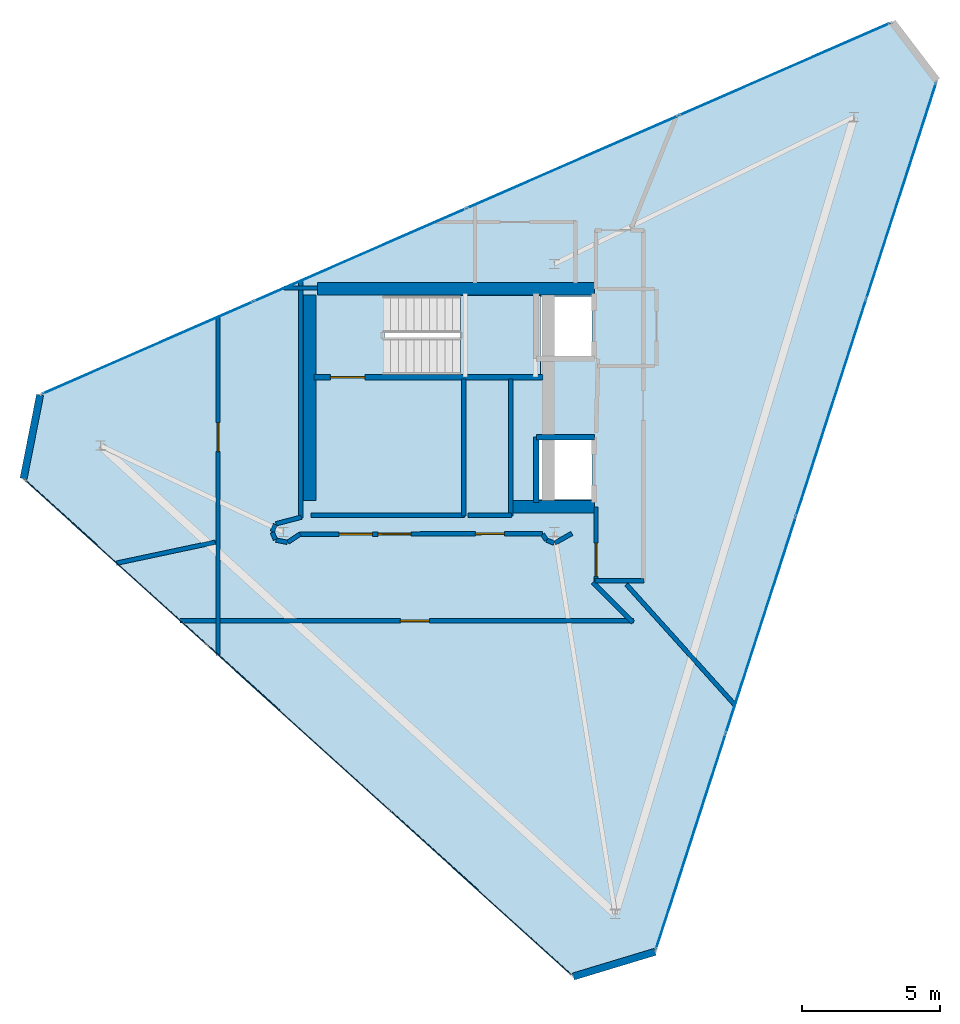
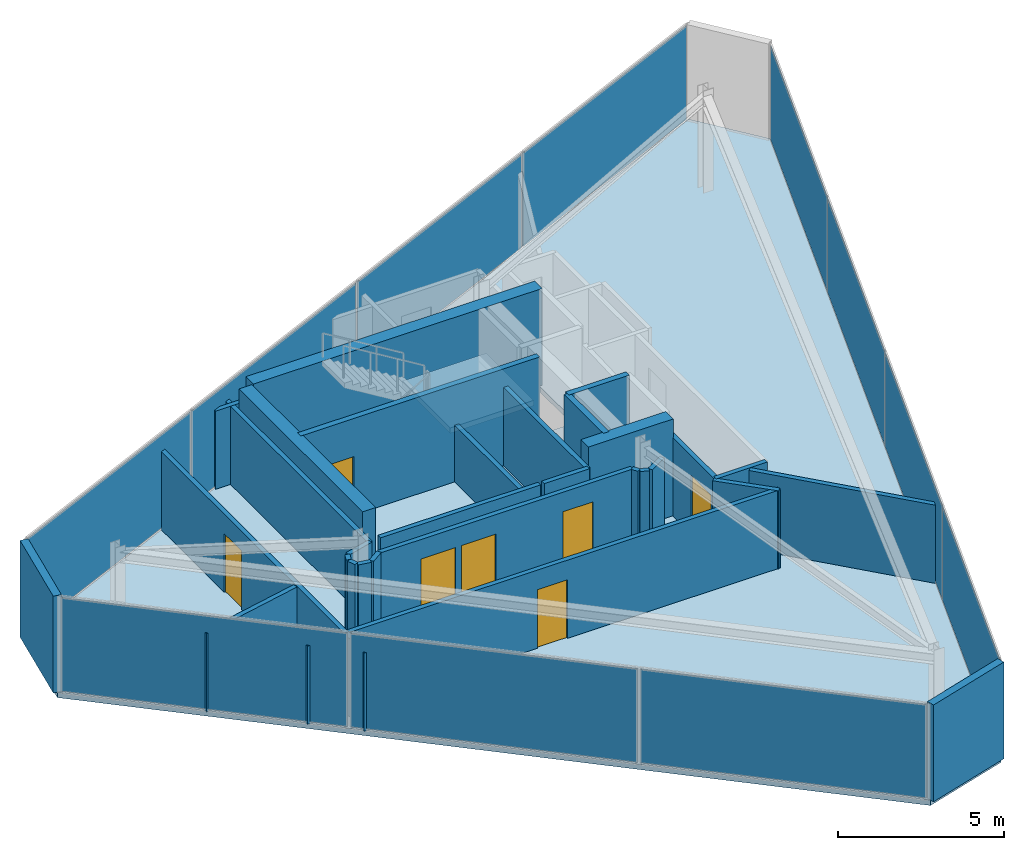
# One storey, part 12 of 14: 30 walls, 11 plates, 7 doors, 2 slabs, 7 openings, 4 elements without a shape of their own.
"""IFC4 building model written with IfcOpenShell, lengths in metres."""

from ifc_helpers import new_model, si_unit, direction, frame, frame_2d, origin, origin_2d, place, context, subcontext, project, spatial, polyline, rectangle, outline, extrude, material, layer, layer_set, type_object, element, fill, aggregate, save


model = new_model("IFC4")

# Units and contexts
model_context = context("Model", 3, precision=1e-05, world=origin(), true_north=direction((0.0, 1.0)))
body_context = subcontext(model_context, "Body", "Model", "MODEL_VIEW")
ifc_project = project(units=[si_unit("LENGTHUNIT", "METRE"), si_unit("AREAUNIT", "SQUARE_METRE"), si_unit("VOLUMEUNIT", "CUBIC_METRE"), si_unit("PLANEANGLEUNIT", "RADIAN"), si_unit("MASSUNIT", "GRAM", prefix="KILO")], contexts=[model_context])

# Site, building, storey
site_placement = place(None, origin())
site = spatial("IfcSite", under=ifc_project, at=site_placement, CompositionType="ELEMENT")
building_placement = place(site_placement, origin())
building = spatial("IfcBuilding", under=site, at=building_placement, Name="Qianvela Tower", CompositionType="ELEMENT")
storey_placement = place(building_placement, frame((0.0, 0.0, 363.800048828125)))
storey = spatial("IfcBuildingStorey", under=building, at=storey_placement, Name="L94", CompositionType="ELEMENT", Elevation=363.800048828125)

# Curtain wall, plates
ifc_material_1 = material(Name="Anodised Architectural Aluminium and Low-E Glass", Category="aluminium")
ifc_layer_1 = layer(ifc_material_1, 0.159912109375)
ifc_layer_set_1 = layer_set([ifc_layer_1], Name="Anodised Architectural Aluminium and Low-E Glass")
curtain_wall_type = type_object("IfcCurtainWallType", Name="CW-CROWN", PredefinedType="USERDEFINED", material=ifc_layer_set_1)
curtain_wall_1_placement = place(storey_placement, origin())
curtain_wall_1 = element("IfcCurtainWall", 1, at=curtain_wall_1_placement, inside=storey, type_object=curtain_wall_type, Name="L94 CW-CROWN Curtain Wall 02", ObjectType="CURTAIN_WALL_SYSTEM", PredefinedType="USERDEFINED")
ifc_material_2 = material(Name="Double-Silver Low-E Insulated Glass", Category="glass")
ifc_layer_2 = layer(ifc_material_2, 0.030029296875)
ifc_layer_set_2 = layer_set([ifc_layer_2], Name="Double-Silver Low-E Insulated Glass")
plate_type = type_object("IfcPlateType", Name="CW-CROWN-PNL", PredefinedType="CURTAIN_PANEL", material=ifc_layer_set_2)
plate_1_placement = place(storey_placement, frame((46.731689453125, 40.592041015625, 0.06005859375), z_axis=(0.0, 0.0, 1.0), x_axis=(-0.916234852562, -0.400641604118, 0.0)))
plate_1 = element("IfcPlate", 2, at=plate_1_placement, type_object=plate_type, Name="CW-8 panel 1.1", PredefinedType="CURTAIN_PANEL", context=body_context, shape_type="SweptSolid", body=[
    extrude(rectangle(XDim=8.294189453125, YDim=0.030029296875, at=origin_2d()), origin(), (0.0, 0.0, 1.0), 3.429931640625),
])
plate_2_placement = place(storey_placement, frame((39.0576171875, 37.236572265625, 0.06005859375), z_axis=(0.0, 0.0, 1.0), x_axis=(-0.916234852562, -0.400641604118, 0.0)))
plate_2 = element("IfcPlate", 3, at=plate_2_placement, type_object=plate_type, Name="CW-8 panel 2.1", PredefinedType="CURTAIN_PANEL", context=body_context, shape_type="SweptSolid", body=[
    extrude(rectangle(XDim=8.326904296875, YDim=0.030029296875, at=origin_2d()), origin(), (0.0, 0.0, 1.0), 3.429931640625),
])
plate_3_placement = place(storey_placement, frame((31.368896484375, 33.87451171875, 0.06005859375), z_axis=(0.0, 0.0, 1.0), x_axis=(-0.916234852562, -0.400641604118, 0.0)))
plate_3 = element("IfcPlate", 4, at=plate_3_placement, type_object=plate_type, Name="CW-8 panel 3.1", PredefinedType="CURTAIN_PANEL", context=body_context, shape_type="SweptSolid", body=[
    extrude(rectangle(XDim=8.326904296875, YDim=0.030029296875, at=origin_2d()), origin(), (0.0, 0.0, 1.0), 3.429931640625),
])
plate_4_placement = place(storey_placement, frame((23.69482421875, 30.518798828125, 0.06005859375), z_axis=(0.0, 0.0, 1.0), x_axis=(-0.916234852562, -0.400641604118, 0.0)))
plate_4 = element("IfcPlate", 5, at=plate_4_placement, type_object=plate_type, Name="CW-8 panel 4.1", PredefinedType="CURTAIN_PANEL", context=body_context, shape_type="SweptSolid", body=[
    extrude(rectangle(XDim=8.294189453125, YDim=0.030029296875, at=origin_2d()), origin(), (0.0, 0.0, 1.0), 3.429931640625),
])
aggregate(curtain_wall_1, [plate_1, plate_2, plate_3, plate_4])

curtain_wall_2_placement = place(storey_placement, origin())
curtain_wall_2 = element("IfcCurtainWall", 6, at=curtain_wall_2_placement, inside=storey, type_object=curtain_wall_type, Name="L94 CW-CROWN Curtain Wall 04", ObjectType="CURTAIN_WALL_SYSTEM", PredefinedType="USERDEFINED")
plate_5_placement = place(storey_placement, frame((22.545166015625, 22.741943359375, 0.06005859375), z_axis=(0.0, 0.0, 1.0), x_axis=(0.741272992793, -0.671203657734, 0.0)))
plate_5 = element("IfcPlate", 7, at=plate_5_placement, type_object=plate_type, Name="CW-8 panel 1.1", PredefinedType="CURTAIN_PANEL", context=body_context, shape_type="SweptSolid", body=[
    extrude(rectangle(XDim=8.8173828125, YDim=0.030029296875, at=origin_2d()), origin(), (0.0, 0.0, 1.0), 3.429931640625),
])
plate_6_placement = place(storey_placement, frame((29.1416015625, 16.76904296875, 0.06005859375), z_axis=(0.0, 0.0, 1.0), x_axis=(0.741272992793, -0.671203657734, 0.0)))
plate_6 = element("IfcPlate", 8, at=plate_6_placement, type_object=plate_type, Name="CW-8 panel 2.1", PredefinedType="CURTAIN_PANEL", context=body_context, shape_type="SweptSolid", body=[
    extrude(rectangle(XDim=8.85009765625, YDim=0.030029296875, at=origin_2d()), origin(), (0.0, 0.0, 1.0), 3.429931640625),
])
plate_7_placement = place(storey_placement, frame((35.738037109375, 10.796142578125, 0.06005859375), z_axis=(0.0, 0.0, 1.0), x_axis=(0.741272992793, -0.671203657734, 0.0)))
plate_7 = element("IfcPlate", 9, at=plate_7_placement, type_object=plate_type, Name="CW-8 panel 3.1", PredefinedType="CURTAIN_PANEL", context=body_context, shape_type="SweptSolid", body=[
    extrude(rectangle(XDim=8.8173828125, YDim=0.030029296875, at=origin_2d()), origin(), (0.0, 0.0, 1.0), 3.429931640625),
])
aggregate(curtain_wall_2, [plate_5, plate_6, plate_7])

curtain_wall_3_placement = place(storey_placement, origin())
curtain_wall_3 = element("IfcCurtainWall", 10, at=curtain_wall_3_placement, inside=storey, type_object=curtain_wall_type, Name="L94 CW-CROWN Curtain Wall 06", ObjectType="CURTAIN_WALL_SYSTEM", PredefinedType="USERDEFINED")
plate_8_placement = place(storey_placement, frame((43.341796875, 12.647705078125, 0.06005859375), z_axis=(0.0, 0.0, 1.0), x_axis=(0.307717217108, 0.951477858016, 0.0)))
plate_8 = element("IfcPlate", 11, at=plate_8_placement, type_object=plate_type, Name="CW-8 panel 1.1", PredefinedType="CURTAIN_PANEL", context=body_context, shape_type="SweptSolid", body=[
    extrude(rectangle(XDim=8.16259765625, YDim=0.030029296875, at=origin_2d()), origin(), (0.0, 0.0, 1.0), 3.429931640625),
])
plate_9_placement = place(storey_placement, frame((45.87841796875, 20.491455078125, 0.06005859375), z_axis=(0.0, 0.0, 1.0), x_axis=(0.307717217108, 0.951477858016, 0.0)))
plate_9 = element("IfcPlate", 12, at=plate_9_placement, type_object=plate_type, Name="CW-8 panel 2.1", PredefinedType="CURTAIN_PANEL", context=body_context, shape_type="SweptSolid", body=[
    extrude(rectangle(XDim=8.195068359375, YDim=0.030029296875, at=origin_2d()), origin(), (0.0, 0.0, 1.0), 3.429931640625),
])
plate_10_placement = place(storey_placement, frame((48.420166015625, 28.3505859375, 0.06005859375), z_axis=(0.0, 0.0, 1.0), x_axis=(0.307717217108, 0.951477858016, 0.0)))
plate_10 = element("IfcPlate", 13, at=plate_10_placement, type_object=plate_type, Name="CW-8 panel 3.1", PredefinedType="CURTAIN_PANEL", context=body_context, shape_type="SweptSolid", body=[
    extrude(rectangle(XDim=8.195068359375, YDim=0.030029296875, at=origin_2d()), origin(), (0.0, 0.0, 1.0), 3.429931640625),
])
plate_11_placement = place(storey_placement, frame((50.95703125, 36.1943359375, 0.06005859375), z_axis=(0.0, 0.0, 1.0), x_axis=(0.307717217108, 0.951477858016, 0.0)))
plate_11 = element("IfcPlate", 14, at=plate_11_placement, type_object=plate_type, Name="CW-8 panel 4.1", PredefinedType="CURTAIN_PANEL", context=body_context, shape_type="SweptSolid", body=[
    extrude(rectangle(XDim=8.16259765625, YDim=0.030029296875, at=origin_2d()), origin(), (0.0, 0.0, 1.0), 3.429931640625),
])
aggregate(curtain_wall_3, [plate_8, plate_9, plate_10, plate_11])

# Slab
ifc_material_3 = material(Name="Concrete C40", Category="concrete")
ifc_layer_3 = layer(ifc_material_3, 0.199951171875)
ifc_layer_set_3 = layer_set([ifc_layer_3], Name="Concrete C40")
slab_type_1 = type_object("IfcSlabType", Name="SL-CROWN-200", PredefinedType="FLOOR", material=ifc_layer_set_3)
slab_1_placement = place(storey_placement, frame((0.0, 0.0, -0.199951171875)))
element("IfcSlab", 15, at=slab_1_placement, inside=storey, type_object=slab_type_1, Name="L94 Composite Structural Floor Slab", PredefinedType="FLOOR", context=body_context, shape_type="SweptSolid", body=[
    extrude(outline(polyline([(52.248291015625, 40.18701171875), (50.63671875, 42.2998046875), (19.789794921875, 28.811279296875), (19.19189453125, 25.7783203125), (39.09130859375, 7.759765625), (42.05029296875, 8.655029296875), (52.248291015625, 40.18701171875)]), holes=[polyline([(37.840087890625, 25.02001953125), (39.760009765625, 25.02001953125), (39.760009765625, 27.179931640625), (37.840087890625, 27.179931640625), (37.840087890625, 25.02001953125)]), polyline([(37.89990234375, 29.5400390625), (37.89990234375, 30.219970703125), (39.760009765625, 30.219970703125), (39.760009765625, 32.3798828125), (37.89990234375, 32.3798828125), (37.89990234375, 32.39990234375), (32.25, 32.39990234375), (32.25, 29.5400390625), (37.89990234375, 29.5400390625)])]), origin(), (0.0, 0.0, 1.0), 0.199951171875),
])

# Stair, slab
ifc_material_4 = material(Name="Concrete C40", Category="concrete")
stair_type = type_object("IfcStairType", Name="ST-DOGLEG-1350-R170-N22", PredefinedType="HALF_TURN_STAIR", material=ifc_material_4)
stair_placement = place(storey_placement, origin())
stair = element("IfcStair", 16, at=stair_placement, inside=storey, type_object=stair_type, Name="L94 Smoke-Proof Core Stair ST-1", PredefinedType="HALF_TURN_STAIR")
ifc_material_5 = material(Name="Concrete C40", Category="concrete")
ifc_layer_4 = layer(ifc_material_5, 0.199951171875)
ifc_layer_set_4 = layer_set([ifc_layer_4], Name="Concrete C40")
slab_type_2 = type_object("IfcSlabType", Name="SL-STAIR-LANDING-200", PredefinedType="LANDING", material=ifc_layer_set_4)
slab_2_placement = place(storey_placement, frame((0.0, 0.0, 1.675048828125)))
slab_2 = element("IfcSlab", 17, at=slab_2_placement, type_object=slab_type_2, Name="ST-1 landing 1", PredefinedType="LANDING", context=body_context, shape_type="SweptSolid", body=[
    extrude(outline(polyline([(35.0, 29.5400390625), (37.89990234375, 29.5400390625), (37.89990234375, 32.39990234375), (35.0, 32.39990234375), (35.0, 29.5400390625)])), origin(), (0.0, 0.0, 1.0), 0.199951171875),
])
aggregate(stair, [slab_2])

# Walls
ifc_material_6 = material(Name="Terracotta Cladding on Concrete C40", Category="masonry")
ifc_layer_5 = layer(ifc_material_6, 0.260009765625)
ifc_layer_set_5 = layer_set([ifc_layer_5], Name="Terracotta Cladding on Concrete C40")
wall_type_1 = type_object("IfcWallType", Name="TERRACOTTA-WALL-260", PredefinedType="SOLIDWALL", material=ifc_layer_set_5)
wall_1_placement = place(storey_placement, frame((19.789794921875, 28.811279296875, 0.0), z_axis=(0.0, 0.0, 1.0), x_axis=(-0.193411983947, -0.98111763029, 0.0)))
element("IfcWall", 18, at=wall_1_placement, inside=storey, type_object=wall_type_1, Name="L94 Crown Terracotta Cladding Wall 3", PredefinedType="SOLIDWALL", context=body_context, shape_type="SweptSolid", body=[
    extrude(rectangle(XDim=3.09130859375, YDim=0.260009765625, at=frame_2d((1.545654296875, 0.0))), origin(), (0.0, 0.0, 1.0), 3.550048828125),
])
wall_2_placement = place(storey_placement, frame((39.09130859375, 7.759765625, 0.0), z_axis=(0.0, 0.0, 1.0), x_axis=(0.957149847589, 0.289593109828, 0.0)))
element("IfcWall", 19, at=wall_2_placement, inside=storey, type_object=wall_type_1, Name="L94 Crown Terracotta Cladding Wall 5", PredefinedType="SOLIDWALL", context=body_context, shape_type="SweptSolid", body=[
    extrude(rectangle(XDim=3.091552734375, YDim=0.260009765625, at=frame_2d((1.5458984375, 0.0))), origin(), (0.0, 0.0, 1.0), 3.550048828125),
])
ifc_material_7 = material(Name="Concrete C50", Category="concrete")
ifc_layer_6 = layer(ifc_material_7, 0.449951171875)
ifc_layer_set_6 = layer_set([ifc_layer_6], Name="Concrete C50")
wall_type_2 = type_object("IfcWallType", Name="WT-CORE-450", PredefinedType="SHEAR", material=ifc_layer_set_6)
wall_3_placement = place(storey_placement, frame((29.830078125, 32.64501953125, 0.0), z_axis=(0.0, 0.0, 1.0), x_axis=(1.0, 0.0, 0.0)))
element("IfcWall", 20, at=wall_3_placement, inside=storey, type_object=wall_type_2, Name="L94 North Core Shear Wall", PredefinedType="SHEAR", context=body_context, shape_type="SweptSolid", body=[
    extrude(rectangle(XDim=10.02001953125, YDim=0.449951171875, at=frame_2d((5.010009765625, 0.0))), origin(), (0.0, 0.0, 1.0), 3.550048828125),
])
wall_4_placement = place(storey_placement, frame((36.89990234375, 24.7548828125, 0.0), z_axis=(0.0, 0.0, 1.0), x_axis=(1.0, 0.0, 0.0)))
element("IfcWall", 21, at=wall_4_placement, inside=storey, type_object=wall_type_2, Name="L94 South Core Shear Wall", PredefinedType="SHEAR", context=body_context, shape_type="SweptSolid", body=[
    extrude(rectangle(XDim=2.9501953125, YDim=0.449951171875, at=frame_2d((1.47509765625, 0.0))), origin(), (0.0, 0.0, 1.0), 3.550048828125),
])
wall_5_placement = place(storey_placement, frame((29.554931640625, 24.97998046875, 0.0), z_axis=(0.0, 0.0, 1.0), x_axis=(0.0, 1.0, 0.0)))
element("IfcWall", 22, at=wall_5_placement, inside=storey, type_object=wall_type_2, Name="L94 West Core Shear Wall", PredefinedType="SHEAR", context=body_context, shape_type="SweptSolid", body=[
    extrude(rectangle(XDim=7.43994140625, YDim=0.449951171875, at=frame_2d((3.719970703125, 0.0))), origin(), (0.0, 0.0, 1.0), 3.550048828125),
])
ifc_material_8 = material(Name="Fire-Rated Gypsum and Concrete Block", Category="concrete")
ifc_layer_7 = layer(ifc_material_8, 0.159912109375)
ifc_layer_set_7 = layer_set([ifc_layer_7], Name="Fire-Rated Gypsum and Concrete Block")
wall_type_3 = type_object("IfcWallType", Name="WT-CORR-160", PredefinedType="PARTITIONING", material=ifc_layer_set_7)
wall_6_placement = place(storey_placement, frame((35.14990234375, 24.450927734375, 0.0), z_axis=(0.0, 0.0, 1.0), x_axis=(-1.0, 0.0, 0.0)))
element("IfcWall", 23, at=wall_6_placement, inside=storey, type_object=wall_type_3, Name="L94 Partition 1", PredefinedType="PARTITIONING", context=body_context, shape_type="SweptSolid", body=[
    extrude(rectangle(XDim=5.5498046875, YDim=0.159912109375, at=frame_2d((2.77490234375, 0.0))), origin(), (0.0, 0.0, 1.0), 2.869873046875),
])
wall_7_placement = place(storey_placement, frame((35.118896484375, 29.3798828125, 0.0), z_axis=(0.0, 0.0, 1.0), x_axis=(0.0, -1.0, 0.0)))
element("IfcWall", 24, at=wall_7_placement, inside=storey, type_object=wall_type_3, Name="L94 Partition 4", PredefinedType="PARTITIONING", context=body_context, shape_type="SweptSolid", body=[
    extrude(rectangle(XDim=4.9599609375, YDim=0.159912109375, at=frame_2d((2.47998046875, 0.0))), origin(), (0.0, 0.0, 1.0), 2.079833984375),
])

# Wall, opening, door
wall_8_placement = place(storey_placement, frame((39.910888671875, 22.050048828125, 0.0), z_axis=(0.0, 0.0, 1.0), x_axis=(0.0, 1.0, 0.0)))
wall_8 = element("IfcWall", 25, at=wall_8_placement, inside=storey, type_object=wall_type_3, Name="L94 Partition 5", PredefinedType="PARTITIONING", context=body_context, shape_type="SweptSolid", body=[
    extrude(rectangle(XDim=2.7099609375, YDim=0.159912109375, at=frame_2d((1.35498046875, 0.0))), origin(), (0.0, 0.0, 1.0), 2.869873046875),
])
opening_1_placement = place(wall_8_placement, frame((0.195068359375, 0.0, 0.0)))
opening_1 = element("IfcOpeningElement", 26, at=opening_1_placement, cuts=wall_8, Name="Opening D-LB1", PredefinedType="OPENING", context=body_context, shape_type="SweptSolid", body=[
    extrude(rectangle(XDim=1.199951171875, YDim=2.14990234375, at=frame_2d((0.60009765625, 1.074951171875))), frame((0.0, 0.08984375, 0.0), z_axis=(0.0, -1.0, 0.0), x_axis=(1.0, 0.0, 0.0)), (0.0, 0.0, 1.0), 0.179931640625),
])
ifc_material_9 = material(Name="Glazed Fire-Rated Steel Frame", Category="steel")
door_type_1 = type_object("IfcDoorType", Name="DT-LOBBY-FD90", OperationType="NOTDEFINED", PredefinedType="DOOR", material=ifc_material_9)
door_1_placement = place(opening_1_placement, origin())
door_1 = element("IfcDoor", 27, at=door_1_placement, inside=storey, type_object=door_type_1, Name="L94 Door L94 Lift Lobby to L94 Crown Maintenance Corridor", OperationType="SINGLE_SWING_LEFT", OverallHeight=2.14990234375, OverallWidth=1.199951171875, PredefinedType="DOOR", context=body_context, shape_type="SweptSolid", body=[
    extrude(rectangle(XDim=1.199951171875, YDim=2.14990234375, at=frame_2d((0.60009765625, 1.074951171875))), frame((0.0, 0.02490234375, 0.0), z_axis=(0.0, -1.0, 0.0), x_axis=(1.0, 0.0, 0.0)), (0.0, 0.0, 1.0), 0.050048828125),
])
fill(opening_1, door_1)

# Walls
wall_9_placement = place(storey_placement, frame((41.64990234375, 22.0810546875, 0.0), z_axis=(0.0, 0.0, 1.0), x_axis=(-1.0, 0.0, 0.0)))
element("IfcWall", 28, at=wall_9_placement, inside=storey, type_object=wall_type_3, Name="L94 Partition 11", PredefinedType="PARTITIONING", context=body_context, shape_type="SweptSolid", body=[
    extrude(rectangle(XDim=1.77001953125, YDim=0.159912109375, at=frame_2d((0.885009765625, 0.0))), origin(), (0.0, 0.0, 1.0), 2.869873046875),
])
wall_10_placement = place(storey_placement, frame((36.85009765625, 24.450927734375, 0.0), z_axis=(0.0, 0.0, 1.0), x_axis=(-1.0, 0.0, 0.0)))
element("IfcWall", 29, at=wall_10_placement, inside=storey, type_object=wall_type_3, Name="L94 Partition 12", PredefinedType="PARTITIONING", context=body_context, shape_type="SweptSolid", body=[
    extrude(rectangle(XDim=1.570068359375, YDim=0.159912109375, at=frame_2d((0.78515625, 0.0))), origin(), (0.0, 0.0, 1.0), 2.869873046875),
])
wall_11_placement = place(storey_placement, frame((36.819091796875, 29.3798828125, 0.0), z_axis=(0.0, 0.0, 1.0), x_axis=(0.0, -1.0, 0.0)))
element("IfcWall", 30, at=wall_11_placement, inside=storey, type_object=wall_type_3, Name="L94 Partition 15", PredefinedType="PARTITIONING", context=body_context, shape_type="SweptSolid", body=[
    extrude(rectangle(XDim=4.9599609375, YDim=0.159912109375, at=frame_2d((2.47998046875, 0.0))), origin(), (0.0, 0.0, 1.0), 2.869873046875),
])
wall_12_placement = place(storey_placement, frame((29.2421875, 24.38427734375, 0.0), z_axis=(0.0, 0.0, 1.0), x_axis=(-0.967554205956, -0.252663528309, 0.0)))
element("IfcWall", 31, at=wall_12_placement, inside=storey, type_object=wall_type_3, Name="L94 Partition 20", PredefinedType="PARTITIONING", context=body_context, shape_type="SweptSolid", body=[
    extrude(rectangle(XDim=0.946044921875, YDim=0.159912109375, at=frame_2d((0.47314453125, 0.0))), origin(), (0.0, 0.0, 1.0), 2.869873046875),
])
for number, where, z_axis, x_axis, name in (
    (32, (28.30615234375, 24.126953125, 0.0), (0.0, 0.0, 1.0), (-0.382802560388, -0.92383017907, 0.0), "L94 Partition 21"),
    (33, (28.1962890625, 23.838134765625, 0.0), (0.0, 0.0, 1.0), (0.382802560388, -0.92383017907, 0.0), "L94 Partition 22"),
):
    element("IfcWall", number, at=place(storey_placement, frame(where, z_axis=z_axis, x_axis=x_axis)), inside=storey, type_object=wall_type_3, Name=name, PredefinedType="PARTITIONING", context=body_context, shape_type="SweptSolid", body=[
        extrude(rectangle(XDim=0.287109375, YDim=0.159912109375, at=frame_2d((0.1435546875, 0.0))), origin(), (0.0, 0.0, 1.0), 2.869873046875),
    ])
wall_13_placement = place(storey_placement, frame((28.328857421875, 23.554443359375, 0.0), z_axis=(0.0, 0.0, 1.0), x_axis=(0.980782960085, -0.195101986683, 0.0)))
element("IfcWall", 34, at=wall_13_placement, inside=storey, type_object=wall_type_3, Name="L94 Partition 23", PredefinedType="PARTITIONING", context=body_context, shape_type="SweptSolid", body=[
    extrude(rectangle(XDim=0.416748046875, YDim=0.159912109375, at=frame_2d((0.20849609375, 0.0))), origin(), (0.0, 0.0, 1.0), 2.869873046875),
])
wall_14_placement = place(storey_placement, frame((28.7607421875, 23.477783203125, 0.0), z_axis=(0.0, 0.0, 1.0), x_axis=(0.831482899293, 0.555550347118, 0.0)))
element("IfcWall", 35, at=wall_14_placement, inside=storey, type_object=wall_type_3, Name="L94 Partition 24", PredefinedType="PARTITIONING", context=body_context, shape_type="SweptSolid", body=[
    extrude(rectangle(XDim=0.530029296875, YDim=0.159912109375, at=frame_2d((0.26513671875, 0.0))), origin(), (0.0, 0.0, 1.0), 2.869873046875),
])

# Wall, openings, doors
wall_15_placement = place(storey_placement, frame((29.184326171875, 23.76708984375, 0.0), z_axis=(0.0, 0.0, 1.0), x_axis=(0.999996878137, 0.002498742824, 0.0)))
wall_15 = element("IfcWall", 36, at=wall_15_placement, inside=storey, type_object=wall_type_3, Name="L94 Partition 25", PredefinedType="PARTITIONING", context=body_context, shape_type="SweptSolid", body=[
    extrude(rectangle(XDim=8.79345703125, YDim=0.159912109375, at=frame_2d((4.396728515625, 0.0))), origin(), (0.0, 0.0, 1.0), 2.869873046875),
])
opening_2_placement = place(wall_15_placement, frame((2.8310546875, 0.0, 0.0)))
opening_2 = element("IfcOpeningElement", 37, at=opening_2_placement, cuts=wall_15, Name="Opening D-LB1", PredefinedType="OPENING", context=body_context, shape_type="SweptSolid", body=[
    extrude(rectangle(XDim=1.199951171875, YDim=2.14990234375, at=frame_2d((0.60009765625, 1.074951171875))), frame((0.0, 0.08984375, 0.0), z_axis=(0.0, -1.0, 0.0), x_axis=(1.0, 0.0, 0.0)), (0.0, 0.0, 1.0), 0.179931640625),
])
opening_3_placement = place(wall_15_placement, frame((6.35888671875, 0.0, 0.0)))
opening_3 = element("IfcOpeningElement", 38, at=opening_3_placement, cuts=wall_15, Name="Opening D-PL1", PredefinedType="OPENING", context=body_context, shape_type="SweptSolid", body=[
    extrude(rectangle(XDim=1.050048828125, YDim=2.14990234375, at=frame_2d((0.52490234375, 1.074951171875))), frame((0.0, 0.08984375, 0.0), z_axis=(0.0, -1.0, 0.0), x_axis=(1.0, 0.0, 0.0)), (0.0, 0.0, 1.0), 0.179931640625),
])
opening_4_placement = place(wall_15_placement, frame((1.430908203125, 0.0, 0.0)))
opening_4 = element("IfcOpeningElement", 39, at=opening_4_placement, cuts=wall_15, Name="Opening D-LB1", PredefinedType="OPENING", context=body_context, shape_type="SweptSolid", body=[
    extrude(rectangle(XDim=1.199951171875, YDim=2.14990234375, at=frame_2d((0.60009765625, 1.074951171875))), frame((0.0, 0.08984375, 0.0), z_axis=(0.0, -1.0, 0.0), x_axis=(1.0, 0.0, 0.0)), (0.0, 0.0, 1.0), 0.179931640625),
])
door_2_placement = place(opening_2_placement, origin())
door_2 = element("IfcDoor", 40, at=door_2_placement, inside=storey, type_object=door_type_1, Name="L94 Door L94 Firefighting Lobby North to L94 Crown Maintenance Corridor", OperationType="SINGLE_SWING_RIGHT", OverallHeight=2.14990234375, OverallWidth=1.199951171875, PredefinedType="DOOR", context=body_context, shape_type="SweptSolid", body=[
    extrude(rectangle(XDim=1.199951171875, YDim=2.14990234375, at=frame_2d((0.60009765625, 1.074951171875))), frame((0.0, 0.02490234375, 0.0), z_axis=(0.0, -1.0, 0.0), x_axis=(1.0, 0.0, 0.0)), (0.0, 0.0, 1.0), 0.050048828125),
])
fill(opening_2, door_2)
door_3_placement = place(opening_4_placement, origin())
door_3 = element("IfcDoor", 41, at=door_3_placement, inside=storey, type_object=door_type_1, Name="L94 Door L94 Firefighting Lobby North to L94 Crown Maintenance Corridor", OperationType="SINGLE_SWING_LEFT", OverallHeight=2.14990234375, OverallWidth=1.199951171875, PredefinedType="DOOR", context=body_context, shape_type="SweptSolid", body=[
    extrude(rectangle(XDim=1.199951171875, YDim=2.14990234375, at=frame_2d((0.60009765625, 1.074951171875))), frame((0.0, 0.02490234375, 0.0), z_axis=(0.0, -1.0, 0.0), x_axis=(1.0, 0.0, 0.0)), (0.0, 0.0, 1.0), 0.050048828125),
])
fill(opening_4, door_3)
ifc_material_10 = material(Name="Insulated Steel Fire Door Q355B", Category="steel")
door_type_2 = type_object("IfcDoorType", Name="DT-PLANT-FD90", OperationType="NOTDEFINED", PredefinedType="DOOR", material=ifc_material_10)
door_4_placement = place(opening_3_placement, origin())
door_4 = element("IfcDoor", 42, at=door_4_placement, inside=storey, type_object=door_type_2, Name="L94 Door L94 Crown Electrical Switch Room to L94 Crown Maintenance Corridor", OperationType="SINGLE_SWING_RIGHT", OverallHeight=2.14990234375, OverallWidth=1.050048828125, PredefinedType="DOOR", context=body_context, shape_type="SweptSolid", body=[
    extrude(rectangle(XDim=1.050048828125, YDim=2.14990234375, at=frame_2d((0.52490234375, 1.074951171875))), frame((0.0, 0.02490234375, 0.0), z_axis=(0.0, -1.0, 0.0), x_axis=(1.0, 0.0, 0.0)), (0.0, 0.0, 1.0), 0.050048828125),
])
fill(opening_3, door_4)

# Walls
wall_16_placement = place(storey_placement, frame((37.977783203125, 23.763916015625, 0.0), z_axis=(0.0, 0.0, 1.0), x_axis=(0.556130652598, -0.831094878604, 0.0)))
element("IfcWall", 43, at=wall_16_placement, inside=storey, type_object=wall_type_3, Name="L94 Partition 26", PredefinedType="PARTITIONING", context=body_context, shape_type="SweptSolid", body=[
    extrude(rectangle(XDim=0.236083984375, YDim=0.159912109375, at=frame_2d((0.1181640625, 0.0))), origin(), (0.0, 0.0, 1.0), 2.869873046875),
])
wall_17_placement = place(storey_placement, frame((38.123046875, 23.55615234375, 0.0), z_axis=(0.0, 0.0, 1.0), x_axis=(0.92383017907, -0.382802560388, 0.0)))
element("IfcWall", 44, at=wall_17_placement, inside=storey, type_object=wall_type_3, Name="L94 Partition 27", PredefinedType="PARTITIONING", context=body_context, shape_type="SweptSolid", body=[
    extrude(rectangle(XDim=0.287109375, YDim=0.159912109375, at=frame_2d((0.1435546875, 0.0))), origin(), (0.0, 0.0, 1.0), 2.869873046875),
])
wall_18_placement = place(storey_placement, frame((38.4150390625, 23.447998046875, 0.0), z_axis=(0.0, 0.0, 1.0), x_axis=(0.872599584194, 0.488436245241, 0.0)))
element("IfcWall", 45, at=wall_18_placement, inside=storey, type_object=wall_type_3, Name="L94 Partition 28", PredefinedType="PARTITIONING", context=body_context, shape_type="SweptSolid", body=[
    extrude(rectangle(XDim=0.711669921875, YDim=0.159912109375, at=frame_2d((0.35595703125, 0.0))), origin(), (0.0, 0.0, 1.0), 2.869873046875),
])
wall_19_placement = place(storey_placement, frame((39.796142578125, 22.028076171875, 0.0), z_axis=(0.0, 0.0, 1.0), x_axis=(0.707106781187, -0.707106781187, 0.0)))
element("IfcWall", 46, at=wall_19_placement, inside=storey, type_object=wall_type_3, Name="L94 Partition 31", PredefinedType="PARTITIONING", context=body_context, shape_type="SweptSolid", body=[
    extrude(rectangle(XDim=2.050537109375, YDim=0.159912109375, at=frame_2d((1.025390625, 0.0))), origin(), (0.0, 0.0, 1.0), 2.869873046875),
])

# Wall, opening, door
wall_20_placement = place(storey_placement, frame((41.26806640625, 20.631103515625, 0.0), z_axis=(0.0, 0.0, 1.0), x_axis=(-1.0, 0.0, 0.0)))
wall_20 = element("IfcWall", 47, at=wall_20_placement, inside=storey, type_object=wall_type_3, Name="L94 Partition 32", PredefinedType="PARTITIONING", context=body_context, shape_type="SweptSolid", body=[
    extrude(rectangle(XDim=16.41162109375, YDim=0.159912109375, at=frame_2d((8.205810546875, 0.0))), origin(), (0.0, 0.0, 1.0), 2.869873046875),
])
opening_5_placement = place(wall_20_placement, frame((7.384033203125, 0.0, 0.0)))
opening_5 = element("IfcOpeningElement", 48, at=opening_5_placement, cuts=wall_20, Name="Opening D-PL1", PredefinedType="OPENING", context=body_context, shape_type="SweptSolid", body=[
    extrude(rectangle(XDim=1.050048828125, YDim=2.14990234375, at=frame_2d((0.52490234375, 1.074951171875))), frame((0.0, 0.08984375, 0.0), z_axis=(0.0, -1.0, 0.0), x_axis=(1.0, 0.0, 0.0)), (0.0, 0.0, 1.0), 0.179931640625),
])
door_5_placement = place(opening_5_placement, origin())
door_5 = element("IfcDoor", 49, at=door_5_placement, inside=storey, type_object=door_type_2, Name="L94 Door L94 Facade BMU Mechanical Plant Room to L94 Crown Maintenance Corridor", OperationType="SINGLE_SWING_LEFT", OverallHeight=2.14990234375, OverallWidth=1.050048828125, PredefinedType="DOOR", context=body_context, shape_type="SweptSolid", body=[
    extrude(rectangle(XDim=1.050048828125, YDim=2.14990234375, at=frame_2d((0.52490234375, 1.074951171875))), frame((0.0, 0.02490234375, 0.0), z_axis=(0.0, -1.0, 0.0), x_axis=(1.0, 0.0, 0.0)), (0.0, 0.0, 1.0), 0.050048828125),
])
fill(opening_5, door_5)

wall_21_placement = place(storey_placement, frame((26.23095703125, 19.384521484375, 0.0), z_axis=(0.0, 0.0, 1.0), x_axis=(0.0, 1.0, 0.0)))
wall_21 = element("IfcWall", 50, at=wall_21_placement, inside=storey, type_object=wall_type_3, Name="L94 Partition 33", PredefinedType="PARTITIONING", context=body_context, shape_type="SweptSolid", body=[
    extrude(rectangle(XDim=12.26318359375, YDim=0.159912109375, at=frame_2d((6.131591796875, 0.0))), origin(), (0.0, 0.0, 1.0), 2.869873046875),
])
opening_6_placement = place(wall_21_placement, frame((7.369140625, 0.0, 0.0)))
opening_6 = element("IfcOpeningElement", 51, at=opening_6_placement, cuts=wall_21, Name="Opening D-PL1", PredefinedType="OPENING", context=body_context, shape_type="SweptSolid", body=[
    extrude(rectangle(XDim=1.050048828125, YDim=2.14990234375, at=frame_2d((0.52490234375, 1.074951171875))), frame((0.0, 0.08984375, 0.0), z_axis=(0.0, -1.0, 0.0), x_axis=(1.0, 0.0, 0.0)), (0.0, 0.0, 1.0), 0.179931640625),
])
door_6_placement = place(opening_6_placement, origin())
door_6 = element("IfcDoor", 52, at=door_6_placement, inside=storey, type_object=door_type_2, Name="L94 Door L94 Crown Cooling Water Treatment Plant Room to L94 Crown Maintenance Corridor", OperationType="SINGLE_SWING_RIGHT", OverallHeight=2.14990234375, OverallWidth=1.050048828125, PredefinedType="DOOR", context=body_context, shape_type="SweptSolid", body=[
    extrude(rectangle(XDim=1.050048828125, YDim=2.14990234375, at=frame_2d((0.52490234375, 1.074951171875))), frame((0.0, 0.02490234375, 0.0), z_axis=(0.0, -1.0, 0.0), x_axis=(1.0, 0.0, 0.0)), (0.0, 0.0, 1.0), 0.050048828125),
])
fill(opening_6, door_6)

# Walls
wall_22_placement = place(storey_placement, frame((29.218994140625, 32.954345703125, 0.0), z_axis=(0.0, 0.0, 1.0), x_axis=(0.0, -1.0, 0.0)))
element("IfcWall", 53, at=wall_22_placement, inside=storey, type_object=wall_type_3, Name="L94 Partition 35", PredefinedType="PARTITIONING", context=body_context, shape_type="SweptSolid", body=[
    extrude(rectangle(XDim=8.60009765625, YDim=0.159912109375, at=frame_2d((4.300048828125, 0.0))), origin(), (0.0, 0.0, 1.0), 2.869873046875),
])
wall_23_placement = place(storey_placement, frame((22.547119140625, 22.718505859375, 0.0), z_axis=(0.0, 0.0, 1.0), x_axis=(0.978151559121, 0.2078930672, 0.0)))
element("IfcWall", 54, at=wall_23_placement, inside=storey, type_object=wall_type_3, Name="L94 Partition 36", PredefinedType="PARTITIONING", context=body_context, shape_type="SweptSolid", body=[
    extrude(rectangle(XDim=3.6591796875, YDim=0.159912109375, at=frame_2d((1.82958984375, 0.0))), origin(), (0.0, 0.0, 1.0), 2.869873046875),
])
wall_24_placement = place(storey_placement, frame((41.011474609375, 21.94921875, 0.0), z_axis=(0.0, 0.0, 1.0), x_axis=(0.669120448738, -0.743153971315, 0.0)))
element("IfcWall", 55, at=wall_24_placement, inside=storey, type_object=wall_type_3, Name="L94 Partition 41", PredefinedType="PARTITIONING", context=body_context, shape_type="SweptSolid", body=[
    extrude(rectangle(XDim=5.8896484375, YDim=0.159912109375, at=frame_2d((2.94482421875, 0.0))), origin(), (0.0, 0.0, 1.0), 2.869873046875),
])
wall_25_placement = place(storey_placement, frame((29.830078125, 32.6796875, 0.0), z_axis=(0.0, 0.0, 1.0), x_axis=(-0.999999491903, 0.001008064004, 0.0)))
element("IfcWall", 56, at=wall_25_placement, inside=storey, type_object=wall_type_3, Name="L94 Partition 57 seg 1", PredefinedType="PARTITIONING", context=body_context, shape_type="SweptSolid", body=[
    extrude(rectangle(XDim=1.2109375, YDim=0.159912109375, at=frame_2d((0.60546875, 0.0))), origin(), (0.0, 0.0, 1.0), 2.869873046875),
])

# Wall, opening, door
ifc_material_11 = material(Name="Concrete C50", Category="concrete")
ifc_layer_8 = layer(ifc_material_11, 0.199951171875)
ifc_layer_set_8 = layer_set([ifc_layer_8], Name="Concrete C50")
wall_type_4 = type_object("IfcWallType", Name="WT-SHAFT-200", PredefinedType="SOLIDWALL", material=ifc_layer_set_8)
wall_26_placement = place(storey_placement, frame((29.699951171875, 29.449951171875, 0.0), z_axis=(0.0, 0.0, 1.0), x_axis=(1.0, 0.0, 0.0)))
wall_26 = element("IfcWall", 57, at=wall_26_placement, inside=storey, type_object=wall_type_4, Name="L94 Stair ST-1 South Wall", PredefinedType="SOLIDWALL", context=body_context, shape_type="SweptSolid", body=[
    extrude(rectangle(XDim=8.300048828125, YDim=0.199951171875, at=frame_2d((4.14990234375, 0.0))), origin(), (0.0, 0.0, 1.0), 3.550048828125),
])
opening_7_placement = place(wall_26_placement, frame((0.594970703125, 0.0, 0.0)))
opening_7 = element("IfcOpeningElement", 58, at=opening_7_placement, cuts=wall_26, Name="Opening D-ST1", PredefinedType="OPENING", context=body_context, shape_type="SweptSolid", body=[
    extrude(rectangle(XDim=1.25, YDim=2.14990234375, at=frame_2d((0.625, 1.074951171875))), frame((0.0, 0.10986328125, 0.0), z_axis=(0.0, -1.0, 0.0), x_axis=(1.0, 0.0, 0.0)), (0.0, 0.0, 1.0), 0.219970703125),
])
ifc_material_12 = material(Name="Galvanised Fire Steel Q355B", Category="steel")
door_type_3 = type_object("IfcDoorType", Name="DT-STAIR-FD90", OperationType="NOTDEFINED", PredefinedType="DOOR", material=ifc_material_12)
door_7_placement = place(opening_7_placement, origin())
door_7 = element("IfcDoor", 59, at=door_7_placement, inside=storey, type_object=door_type_3, Name="L94 Stair ST-1 Exit Door", OperationType="SINGLE_SWING_RIGHT", OverallHeight=2.14990234375, OverallWidth=1.25, PredefinedType="DOOR", context=body_context, shape_type="SweptSolid", body=[
    extrude(rectangle(XDim=1.25, YDim=2.14990234375, at=frame_2d((0.625, 1.074951171875))), frame((0.0, 0.02490234375, 0.0), z_axis=(0.0, -1.0, 0.0), x_axis=(1.0, 0.0, 0.0)), (0.0, 0.0, 1.0), 0.050048828125),
])
fill(opening_7, door_7)

# Walls
wall_27_placement = place(storey_placement, frame((37.75, 24.919921875, 0.0), z_axis=(0.0, 0.0, 1.0), x_axis=(0.0, 1.0, 0.0)))
element("IfcWall", 60, at=wall_27_placement, inside=storey, type_object=wall_type_4, Name="L94 Lift FL-2 W Shaft Wall", PredefinedType="SOLIDWALL", context=body_context, shape_type="SweptSolid", body=[
    extrude(rectangle(XDim=2.360107421875, YDim=0.199951171875, at=frame_2d((1.18017578125, 0.0))), origin(), (0.0, 0.0, 1.0), 3.550048828125),
])
wall_28_placement = place(storey_placement, frame((37.75, 27.280029296875, 0.0), z_axis=(0.0, 0.0, 1.0), x_axis=(1.0, 0.0, 0.0)))
element("IfcWall", 61, at=wall_28_placement, inside=storey, type_object=wall_type_4, Name="L94 Lift FL-2 N Shaft Wall", PredefinedType="SOLIDWALL", context=body_context, shape_type="SweptSolid", body=[
    extrude(rectangle(XDim=2.10009765625, YDim=0.199951171875, at=frame_2d((1.050048828125, 0.0))), origin(), (0.0, 0.0, 1.0), 3.550048828125),
])

save(model, "model.ifc")
